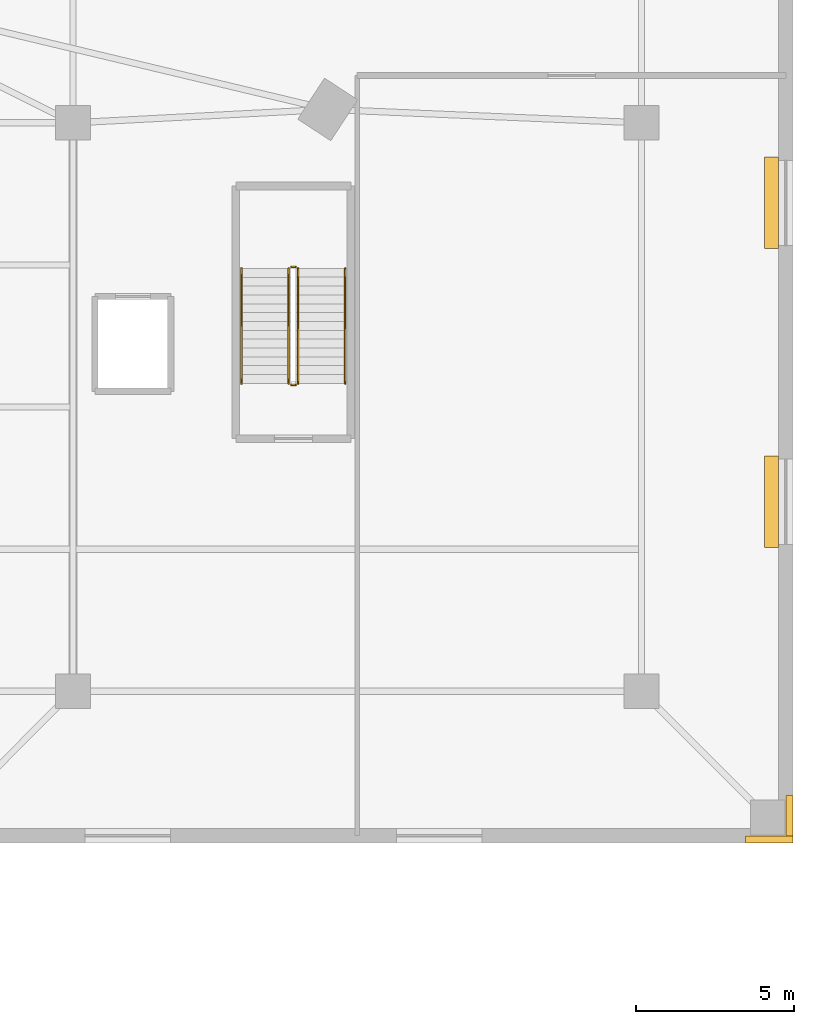
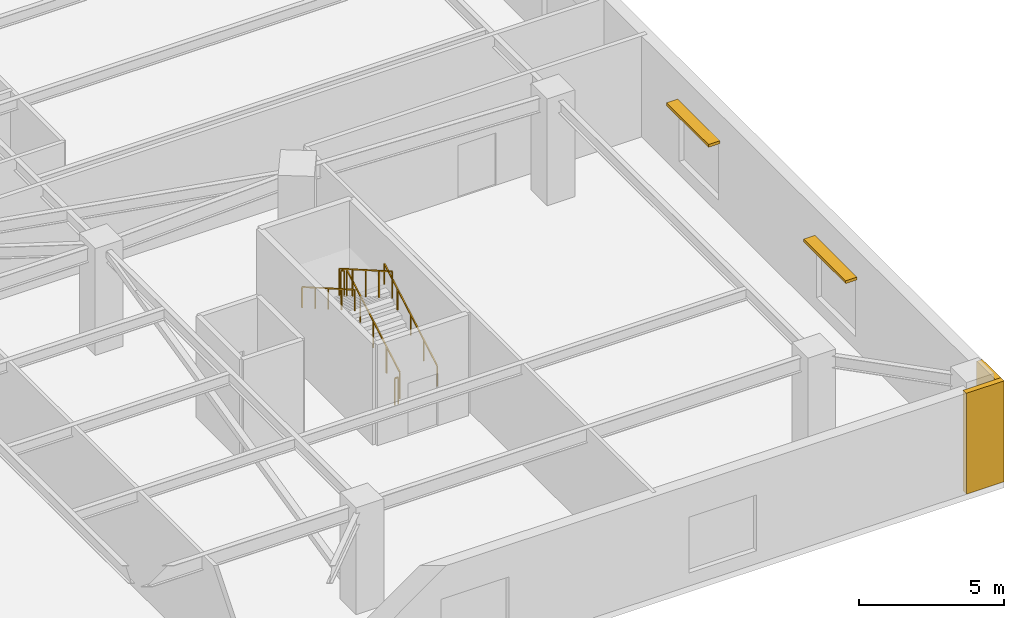
# One storey, part 15 of 16: 6 railings, 2 coverings, 2 shading devices.
"""IFC4 building model written with IfcOpenShell, lengths in metres."""

import ifcopenshell
import ifcopenshell.guid

model = None  # the IFC model being written
_history = None  # IfcOwnerHistory: only IFC2X3 demands one
_inside = {}  # id of a spatial element -> (the spatial element, [elements in it])
_under = {}  # id of a project, library or spatial element -> (it, [spatial elements below it])
_declared = {}  # id of a project -> (the project, [libraries it declares])
_typed = {}  # id of a type object -> (the type object, [elements of that type])
_made_of = {}  # id of a material, layer set ... -> (it, [elements and type objects made of it])


def new_model(schema):
    """Start an empty IFC model of exactly this schema.

    Asked for "IFC4X3", IfcOpenShell would pick the latest addendum, in which some entities
    have other attributes; the version numbers below select the first issue.
    IFC2X3 requires an IfcOwnerHistory on every rooted entity: one is made here for all.
    """
    global model, _history
    if schema == "IFC4X3":
        model = ifcopenshell.file(schema_version=(4, 3, 0, 0))
    else:
        model = ifcopenshell.file(schema=schema)
    _inside.clear()
    _under.clear()
    _declared.clear()
    _typed.clear()
    _made_of.clear()
    _history = None
    if model.schema == "IFC2X3":
        org = make("IfcOrganization", Name="unknown")
        user = make(
            "IfcPersonAndOrganization",
            ThePerson=make("IfcPerson", FamilyName="unknown"),
            TheOrganization=org,
        )
        app = make(
            "IfcApplication",
            ApplicationDeveloper=org,
            Version="unknown",
            ApplicationFullName="unknown",
            ApplicationIdentifier="unknown",
        )
        _history = make(
            "IfcOwnerHistory",
            OwningUser=user,
            OwningApplication=app,
            ChangeAction="ADDED",
            CreationDate=0,
        )
    return model


def make(cls, **values):
    """One entity of the class cls with the attributes given. An attribute that is None is left unset."""
    return model.create_entity(
        cls, **{name: value for name, value in values.items() if value is not None}
    )


def rooted(cls, **values):
    """An entity with a GlobalId (a new one), such as an element, a storey or a relation."""
    return make(cls, GlobalId=ifcopenshell.guid.new(), OwnerHistory=_history, **values)


def si_unit(unit_type, name, prefix=None):
    """IfcSIUnit, for example si_unit("LENGTHUNIT", "METRE", prefix="MILLI")."""
    return make("IfcSIUnit", UnitType=unit_type, Prefix=prefix, Name=name)


def assignment(units):
    """IfcUnitAssignment: the units of a project."""
    return None if units is None else make("IfcUnitAssignment", Units=units)


def point(xyz):
    """IfcCartesianPoint."""
    return None if xyz is None else make("IfcCartesianPoint", Coordinates=xyz)


def direction(xyz):
    """IfcDirection."""
    return None if xyz is None else make("IfcDirection", DirectionRatios=xyz)


def frame(location, z_axis=None, x_axis=None):
    """IfcAxis2Placement3D, a coordinate frame: its origin and axes. An axis left out is left unset."""
    return make(
        "IfcAxis2Placement3D",
        Location=point(location),
        Axis=direction(z_axis),
        RefDirection=direction(x_axis),
    )


def frame_2d(location, x_axis=None):
    """IfcAxis2Placement2D, a coordinate frame in the plane: its origin and x axis."""
    return make(
        "IfcAxis2Placement2D", Location=point(location), RefDirection=direction(x_axis)
    )


def origin():
    """The frame at (0, 0, 0) with its axes left unset."""
    return frame((0.0, 0.0, 0.0))


def origin_2d():
    """The frame at (0, 0) in the plane with its x axis left unset."""
    return frame_2d((0.0, 0.0))


def place(relative_to, where):
    """IfcLocalPlacement: puts the frame where relative to a parent placement (None: the world)."""
    return make(
        "IfcLocalPlacement", PlacementRelTo=relative_to, RelativePlacement=where
    )


def context(
    kind, dimensions, precision=None, world=None, true_north=None, identifier=None
):
    """IfcGeometricRepresentationContext, for example the 3D "Model" context."""
    return make(
        "IfcGeometricRepresentationContext",
        ContextIdentifier=identifier,
        ContextType=kind,
        CoordinateSpaceDimension=dimensions,
        Precision=precision,
        WorldCoordinateSystem=world,
        TrueNorth=true_north,
    )


def subcontext(parent, identifier, kind, view, scale=None):
    """IfcGeometricRepresentationSubContext, for example "Body" below "Model"."""
    return make(
        "IfcGeometricRepresentationSubContext",
        ContextIdentifier=identifier,
        ContextType=kind,
        ParentContext=parent,
        TargetScale=scale,
        TargetView=view,
    )


def project(units=None, contexts=None):
    """IfcProject with its units and contexts."""
    return rooted(
        "IfcProject",
        Name="project",
        RepresentationContexts=contexts,
        UnitsInContext=assignment(units),
    )


def spatial(cls, under=None, at=None, **own):
    """A site, building, storey or space (cls), placed at a placement, below another one or the project."""
    s = rooted(cls, ObjectPlacement=at, **own)
    if under is not None:
        _under.setdefault(under.id(), (under, []))[1].append(s)
    return s


def profile(cls, at=None, kind="AREA", **sizes):
    """A parametric profile (cls). Its sizes go by their IFC names, for example OverallWidth=200.0."""
    return make(cls, ProfileType=kind, Position=at, **sizes)


def rectangle(**sizes):
    """IfcRectangleProfileDef."""
    return profile("IfcRectangleProfileDef", **sizes)


def extrude(swept, where, along, depth):
    """IfcExtrudedAreaSolid: the profile swept, set in the frame where, extruded along a direction by depth."""
    return make(
        "IfcExtrudedAreaSolid",
        SweptArea=swept,
        Position=where,
        ExtrudedDirection=direction(along),
        Depth=depth,
    )


def shape(context_of_items, identifier, shape_type, items):
    """IfcShapeRepresentation: the items that make up one representation, for example the "Body"."""
    return make(
        "IfcShapeRepresentation",
        ContextOfItems=context_of_items,
        RepresentationIdentifier=identifier,
        RepresentationType=shape_type,
        Items=items,
    )


def source(mapping_origin, context_of_items, identifier, shape_type, items):
    """IfcRepresentationMap: a shape defined once, which mapped items show again and again."""
    return make(
        "IfcRepresentationMap",
        MappingOrigin=mapping_origin,
        MappedRepresentation=shape(context_of_items, identifier, shape_type, items),
    )


def transform(
    local_origin,
    x_axis=None,
    y_axis=None,
    z_axis=None,
    scale=None,
    scale2=None,
    scale3=None,
    uniform=True,
):
    """IfcCartesianTransformationOperator3D, or its non-uniform kind. x_axis, y_axis, z_axis: its Axis1, 2, 3."""
    if uniform:
        return make(
            "IfcCartesianTransformationOperator3D",
            Axis1=direction(x_axis),
            Axis2=direction(y_axis),
            LocalOrigin=point(local_origin),
            Scale=scale,
            Axis3=direction(z_axis),
        )
    return make(
        "IfcCartesianTransformationOperator3DnonUniform",
        Axis1=direction(x_axis),
        Axis2=direction(y_axis),
        LocalOrigin=point(local_origin),
        Scale=scale,
        Axis3=direction(z_axis),
        Scale2=scale2,
        Scale3=scale3,
    )


def mapped(mapping_source, mapping_target):
    """IfcMappedItem: shows the shape of a source again, moved by a transform."""
    return make(
        "IfcMappedItem", MappingSource=mapping_source, MappingTarget=mapping_target
    )


def material(Name=None, Category=None):
    """IfcMaterial."""
    return make("IfcMaterial", Name=Name, Category=Category)


def layer(
    of_material, thickness, ventilated=None, Name=None, Category=None, Priority=None
):
    """IfcMaterialLayer: one layer of a wall or slab, of a material (None: an air gap)."""
    return make(
        "IfcMaterialLayer",
        Material=of_material,
        LayerThickness=thickness,
        IsVentilated=ventilated,
        Name=Name,
        Category=Category,
        Priority=Priority,
    )


def layer_set(layers, Name=None):
    """IfcMaterialLayerSet."""
    return make("IfcMaterialLayerSet", MaterialLayers=layers, LayerSetName=Name)


def material_profile(
    of_material, cross_section, Name=None, Category=None, Priority=None
):
    """IfcMaterialProfile: a cross section and its material."""
    return make(
        "IfcMaterialProfile",
        Name=Name,
        Material=of_material,
        Profile=cross_section,
        Priority=Priority,
        Category=Category,
    )


def profile_set(profiles, Name=None, composite=None):
    """IfcMaterialProfileSet."""
    return make(
        "IfcMaterialProfileSet",
        Name=Name,
        MaterialProfiles=profiles,
        CompositeProfile=composite,
    )


def made_of(thing, what):
    """Note that an element or type object is made of a material, layer set ...; save() writes the relation."""
    if what is not None:
        _made_of.setdefault(what.id(), (what, []))[1].append(thing)
    return thing


def type_object(cls, material=None, **own):
    """A type object (cls), such as IfcWallType, which elements share."""
    return made_of(rooted(cls, **own), material)


def element(
    cls,
    number,
    at=None,
    inside=None,
    cuts=None,
    type_object=None,
    material=None,
    context=None,
    identifier="Body",
    shape_type=None,
    held_by="IfcProductDefinitionShape",
    body=None,
    shapes=None,
    **own,
):
    """One element of the class cls, such as IfcWall. Its Tag is "e" and its number.

    at: its placement. inside: the storey or other place that contains it. cuts: it is an
    opening in that element (IfcRelVoidsElement). A single representation is given by context,
    identifier, shape_type and body (its items); several are given by shapes. held_by: the class
    of the entity that holds the representations. save() writes the other relations.
    """
    e = rooted(cls, Tag="e%d" % number, ObjectPlacement=at, **own)
    if body is not None:
        shapes = [shape(context, identifier, shape_type, body)]
    if shapes is not None:
        e.Representation = make(held_by, Representations=shapes)
    if inside is not None:
        _inside.setdefault(inside.id(), (inside, []))[1].append(e)
    if cuts is not None:
        rooted(
            "IfcRelVoidsElement", RelatingBuildingElement=cuts, RelatedOpeningElement=e
        )
    if type_object is not None:
        _typed.setdefault(type_object.id(), (type_object, []))[1].append(e)
    return made_of(e, material)


def aggregate(whole, parts):
    """IfcRelAggregates: a whole, such as a stair, and the parts it consists of."""
    return rooted("IfcRelAggregates", RelatingObject=whole, RelatedObjects=parts)


def save(model, path):
    """Write the relations noted so far, then the file.

    IfcRelAggregates (storeys below a building ...), IfcRelContainedInSpatialStructure (elements
    in a storey), IfcRelDefinesByType, IfcRelAssociatesMaterial and IfcRelDeclares: one each for
    every whole, place, type object, material and project.
    """
    for whole, parts in _under.values():
        aggregate(whole, parts)
    for where, things in _inside.values():
        rooted(
            "IfcRelContainedInSpatialStructure",
            RelatedElements=things,
            RelatingStructure=where,
        )
    for kind, things in _typed.values():
        rooted("IfcRelDefinesByType", RelatedObjects=things, RelatingType=kind)
    for what, things in _made_of.values():
        rooted("IfcRelAssociatesMaterial", RelatedObjects=things, RelatingMaterial=what)
    for by, libraries in _declared.values():
        rooted("IfcRelDeclares", RelatingContext=by, RelatedDefinitions=libraries)
    model.write(path)


model = new_model("IFC4")

# Units and contexts
model_context = context("Model", 3, precision=1e-05, world=origin(), true_north=direction((0.0, 1.0)))
body_context = subcontext(model_context, "Body", "Model", "MODEL_VIEW")
ifc_project = project(units=[si_unit("LENGTHUNIT", "METRE"), si_unit("AREAUNIT", "SQUARE_METRE"), si_unit("VOLUMEUNIT", "CUBIC_METRE"), si_unit("PLANEANGLEUNIT", "RADIAN"), si_unit("MASSUNIT", "GRAM", prefix="KILO")], contexts=[model_context])

# Site, building, storey
site_placement = place(None, origin())
site = spatial("IfcSite", under=ifc_project, at=site_placement, CompositionType="ELEMENT")
building_placement = place(site_placement, origin())
building = spatial("IfcBuilding", under=site, at=building_placement, Name="Liaohun Quay Tower", CompositionType="ELEMENT")
storey_placement = place(building_placement, frame((0.0, 0.0, 14.39990234375)))
storey = spatial("IfcBuildingStorey", under=building, at=storey_placement, Name="L04", CompositionType="ELEMENT", Elevation=14.39990234375)

# Railings
ifc_material_1 = material(Name="Painted tubular steel", Category="steel")
railing_type_1 = type_object("IfcRailingType", Name="RLG-GUARD-STR", PredefinedType="GUARDRAIL", material=ifc_material_1)
railing_1_placement = place(storey_placement, frame((85.1298828125, 33.75, 0.160888671875)))
element("IfcRailing", 1, at=railing_1_placement, inside=storey, type_object=railing_type_1, Name="L04 ST-P2 stair guard 1", PredefinedType="GUARDRAIL", context=body_context, shape_type="SweptSolid", body=[
    extrude(rectangle(XDim=0.048095703125, YDim=0.048095703125, at=origin_2d()), frame((0.0, 0.0, 1.1259765625), z_axis=(0.0, 0.867300072446, 0.497785681127), x_axis=(-1.0, 0.0, 0.0)), (0.0, 0.0, 1.0), 4.19677734375),
    extrude(rectangle(XDim=0.0419921875, YDim=0.0419921875, at=origin_2d()), origin(), (0.0, 0.0, 1.0), 1.101806640625),
    extrude(rectangle(XDim=0.0419921875, YDim=0.0419921875, at=origin_2d()), frame((0.0, 0.909912109375, 0.522216796875)), (0.0, 0.0, 1.0), 1.101806640625),
    extrude(rectangle(XDim=0.0419921875, YDim=0.0419921875, at=origin_2d()), frame((0.0, 1.81982421875, 1.04443359375)), (0.0, 0.0, 1.0), 1.101806640625),
    extrude(rectangle(XDim=0.0419921875, YDim=0.0419921875, at=origin_2d()), frame((0.0, 2.72998046875, 1.56689453125)), (0.0, 0.0, 1.0), 1.101806640625),
    extrude(rectangle(XDim=0.0419921875, YDim=0.0419921875, at=origin_2d()), frame((0.0, 3.639892578125, 2.089111328125)), (0.0, 0.0, 1.0), 1.101806640625),
])
railing_2_placement = place(storey_placement, frame((85.050048828125, 37.43994140625, 2.25)))
element("IfcRailing", 2, at=railing_2_placement, inside=storey, type_object=railing_type_1, Name="L04 ST-P2 stair guard 2", PredefinedType="GUARDRAIL", context=body_context, shape_type="SweptSolid", body=[
    extrude(rectangle(XDim=0.048095703125, YDim=0.048095703125, at=origin_2d()), frame((0.0, 0.0, 1.1259765625), z_axis=(-1.0, 0.0, 0.0), x_axis=(0.0, -1.0, 0.0)), (0.0, 0.0, 1.0), 0.14013671875),
    extrude(rectangle(XDim=0.0419921875, YDim=0.0419921875, at=origin_2d()), origin(), (0.0, 0.0, 1.0), 1.101806640625),
    extrude(rectangle(XDim=0.0419921875, YDim=0.0419921875, at=origin_2d()), frame((-0.14013671875, 0.0, 0.0)), (0.0, 0.0, 1.0), 1.101806640625),
])
railing_3_placement = place(storey_placement, frame((84.830078125, 37.389892578125, 2.410888671875)))
element("IfcRailing", 3, at=railing_3_placement, inside=storey, type_object=railing_type_1, Name="L04 ST-P2 stair guard 3", PredefinedType="GUARDRAIL", context=body_context, shape_type="SweptSolid", body=[
    extrude(rectangle(XDim=0.048095703125, YDim=0.048095703125, at=origin_2d()), frame((0.0, 0.0, 1.1259765625), z_axis=(0.0, -0.867300072446, 0.497785681127), x_axis=(1.0, 0.0, 0.0)), (0.0, 0.0, 1.0), 4.19677734375),
    extrude(rectangle(XDim=0.0419921875, YDim=0.0419921875, at=origin_2d()), origin(), (0.0, 0.0, 1.0), 1.101806640625),
    extrude(rectangle(XDim=0.0419921875, YDim=0.0419921875, at=origin_2d()), frame((0.0, -0.909912109375, 0.522216796875)), (0.0, 0.0, 1.0), 1.101806640625),
    extrude(rectangle(XDim=0.0419921875, YDim=0.0419921875, at=origin_2d()), frame((0.0, -1.81982421875, 1.04443359375)), (0.0, 0.0, 1.0), 1.101806640625),
    extrude(rectangle(XDim=0.0419921875, YDim=0.0419921875, at=origin_2d()), frame((0.0, -2.72998046875, 1.56689453125)), (0.0, 0.0, 1.0), 1.101806640625),
    extrude(rectangle(XDim=0.0419921875, YDim=0.0419921875, at=origin_2d()), frame((0.0, -3.639892578125, 2.089111328125)), (0.0, 0.0, 1.0), 1.101806640625),
])
railing_4_placement = place(storey_placement, frame((85.050048828125, 33.699951171875, 0.0)))
element("IfcRailing", 4, at=railing_4_placement, inside=storey, type_object=railing_type_1, Name="L04 ST-P2 stair guard 4", PredefinedType="GUARDRAIL", context=body_context, shape_type="SweptSolid", body=[
    extrude(rectangle(XDim=0.048095703125, YDim=0.048095703125, at=origin_2d()), frame((0.0, 0.0, 1.1259765625), z_axis=(-1.0, 0.0, 0.0), x_axis=(0.0, -1.0, 0.0)), (0.0, 0.0, 1.0), 0.14013671875),
    extrude(rectangle(XDim=0.0419921875, YDim=0.0419921875, at=origin_2d()), origin(), (0.0, 0.0, 1.0), 1.101806640625),
    extrude(rectangle(XDim=0.0419921875, YDim=0.0419921875, at=origin_2d()), frame((-0.14013671875, 0.0, 0.0)), (0.0, 0.0, 1.0), 1.101806640625),
])
ifc_material_2 = material(Name="Brushed stainless steel", Category="steel")
railing_type_2 = type_object("IfcRailingType", Name="RLG-HND-STR", PredefinedType="HANDRAIL", material=ifc_material_2)
railing_5_placement = place(storey_placement, frame((86.6201171875, 33.75, 0.160888671875)))
element("IfcRailing", 5, at=railing_5_placement, inside=storey, type_object=railing_type_2, Name="L04 ST-P2 stair handrail 1", PredefinedType="HANDRAIL", context=body_context, shape_type="SweptSolid", body=[
    extrude(rectangle(XDim=0.048095703125, YDim=0.048095703125, at=origin_2d()), frame((0.0, 0.0, 0.8759765625), z_axis=(0.0, 0.867300072446, 0.497785681127), x_axis=(-1.0, 0.0, 0.0)), (0.0, 0.0, 1.0), 4.19677734375),
    extrude(rectangle(XDim=0.0419921875, YDim=0.0419921875, at=origin_2d()), origin(), (0.0, 0.0, 1.0), 0.851806640625),
    extrude(rectangle(XDim=0.0419921875, YDim=0.0419921875, at=origin_2d()), frame((0.0, 0.909912109375, 0.522216796875)), (0.0, 0.0, 1.0), 0.851806640625),
    extrude(rectangle(XDim=0.0419921875, YDim=0.0419921875, at=origin_2d()), frame((0.0, 1.81982421875, 1.04443359375)), (0.0, 0.0, 1.0), 0.851806640625),
    extrude(rectangle(XDim=0.0419921875, YDim=0.0419921875, at=origin_2d()), frame((0.0, 2.72998046875, 1.56689453125)), (0.0, 0.0, 1.0), 0.851806640625),
    extrude(rectangle(XDim=0.0419921875, YDim=0.0419921875, at=origin_2d()), frame((0.0, 3.639892578125, 2.089111328125)), (0.0, 0.0, 1.0), 0.851806640625),
])
railing_6_placement = place(storey_placement, frame((83.340087890625, 37.389892578125, 2.410888671875)))
element("IfcRailing", 6, at=railing_6_placement, inside=storey, type_object=railing_type_2, Name="L04 ST-P2 stair handrail 2", PredefinedType="HANDRAIL", context=body_context, shape_type="SweptSolid", body=[
    extrude(rectangle(XDim=0.048095703125, YDim=0.048095703125, at=origin_2d()), frame((0.0, 0.0, 0.8759765625), z_axis=(0.0, -0.867300072446, 0.497785681127), x_axis=(1.0, 0.0, 0.0)), (0.0, 0.0, 1.0), 4.19677734375),
    extrude(rectangle(XDim=0.0419921875, YDim=0.0419921875, at=origin_2d()), origin(), (0.0, 0.0, 1.0), 0.851806640625),
    extrude(rectangle(XDim=0.0419921875, YDim=0.0419921875, at=origin_2d()), frame((0.0, -0.909912109375, 0.522216796875)), (0.0, 0.0, 1.0), 0.851806640625),
    extrude(rectangle(XDim=0.0419921875, YDim=0.0419921875, at=origin_2d()), frame((0.0, -1.81982421875, 1.04443359375)), (0.0, 0.0, 1.0), 0.851806640625),
    extrude(rectangle(XDim=0.0419921875, YDim=0.0419921875, at=origin_2d()), frame((0.0, -2.72998046875, 1.56689453125)), (0.0, 0.0, 1.0), 0.851806640625),
    extrude(rectangle(XDim=0.0419921875, YDim=0.0419921875, at=origin_2d()), frame((0.0, -3.639892578125, 2.089111328125)), (0.0, 0.0, 1.0), 0.851806640625),
])

# Coverings
ifc_material_3 = material(Name="Bush-hammered Liaodong grey granite stone cladding", Category="masonry")
ifc_layer = layer(ifc_material_3, 0.0400390625, Name="Bush-hammered Liaodong grey granite stone cladding", Category="masonry")
ifc_layer_set = layer_set([ifc_layer], Name="Bush-hammered Liaodong grey granite stone cladding")
covering_type = type_object("IfcCoveringType", Name="COV-EXT-CLD", PredefinedType="CLADDING", material=ifc_layer_set)
shared_shape_1 = source(origin(), body_context, "Body", "SweptSolid", [
    extrude(rectangle(XDim=1.5, YDim=0.219970703125, at=origin_2d()), origin(), (0.0, 0.0, 1.0), 4.25),
])
covering_1_placement = place(storey_placement, frame((100.050048828125, 19.31005859375, 0.0), z_axis=(0.0, 0.0, 1.0), x_axis=(1.0, 0.0, 0.0)))
element("IfcCovering", 7, at=covering_1_placement, inside=storey, type_object=covering_type, Name="L04 Corner Granite Pier Cladding SE-X", PredefinedType="CLADDING", context=body_context, shape_type="MappedRepresentation", body=[
    mapped(shared_shape_1, transform((0.0, 0.0, 0.0), x_axis=(1.0, 0.0, 0.0), y_axis=(0.0, 1.0, 0.0), z_axis=(0.0, 0.0, 1.0), scale=1.0)),
])
shared_shape_2 = source(origin(), body_context, "Body", "SweptSolid", [
    extrude(rectangle(XDim=0.219970703125, YDim=1.280029296875, at=origin_2d()), origin(), (0.0, 0.0, 1.0), 4.25),
])
covering_2_placement = place(storey_placement, frame((100.68994140625, 20.06005859375, 0.0), z_axis=(0.0, 0.0, 1.0), x_axis=(1.0, 0.0, 0.0)))
element("IfcCovering", 8, at=covering_2_placement, inside=storey, type_object=covering_type, Name="L04 Corner Granite Pier Cladding SE-Y", PredefinedType="CLADDING", context=body_context, shape_type="MappedRepresentation", body=[
    mapped(shared_shape_2, transform((0.0, 0.0, 0.0), x_axis=(1.0, 0.0, 0.0), y_axis=(0.0, 1.0, 0.0), z_axis=(0.0, 0.0, 1.0), scale=1.0)),
])

# Shading devices
ifc_material_4 = material(Name="Precast concrete C50", Category="concrete")
ifc_material_profile = material_profile(ifc_material_4, rectangle(XDim=0.449951171875, YDim=0.1201171875, at=origin_2d()), Name="PRC-SUN-450x120")
ifc_profile_set = profile_set([ifc_material_profile], Name="Precast concrete C50")
shading_device_type = type_object("IfcShadingDeviceType", Name="SHD-SUN-POD", PredefinedType="SHUTTER", material=ifc_profile_set)
shared_shape_3 = source(origin(), body_context, "Body", "SweptSolid", [
    extrude(rectangle(XDim=0.449951171875, YDim=0.1201171875, at=origin_2d()), origin(), (0.0, 0.0, 1.0), 2.89990234375),
])
shading_device_1_placement = place(storey_placement, frame((100.1201171875, 28.551025390625, 3.050048828125), z_axis=(0.0, 1.0, 0.0), x_axis=(-1.0, 0.0, 0.0)))
element("IfcShadingDevice", 9, at=shading_device_1_placement, inside=storey, type_object=shading_device_type, Name="L04 Precast Window Thermal Hood SN-1-01-01", PredefinedType="SHUTTER", context=body_context, shape_type="MappedRepresentation", body=[
    mapped(shared_shape_3, transform((0.0, 0.0, 0.0), x_axis=(1.0, 0.0, 0.0), y_axis=(0.0, 1.0, 0.0), z_axis=(0.0, 0.0, 1.0), scale=1.0)),
])
shared_shape_4 = source(origin(), body_context, "Body", "SweptSolid", [
    extrude(rectangle(XDim=0.449951171875, YDim=0.1201171875, at=origin_2d()), origin(), (0.0, 0.0, 1.0), 2.900146484375),
])
shading_device_2_placement = place(storey_placement, frame((100.1201171875, 38.012939453125, 3.050048828125), z_axis=(0.0, 1.0, 0.0), x_axis=(-1.0, 0.0, 0.0)))
element("IfcShadingDevice", 10, at=shading_device_2_placement, inside=storey, type_object=shading_device_type, Name="L04 Precast Window Thermal Hood SN-1-01-02", PredefinedType="SHUTTER", context=body_context, shape_type="MappedRepresentation", body=[
    mapped(shared_shape_4, transform((0.0, 0.0, 0.0), x_axis=(1.0, 0.0, 0.0), y_axis=(0.0, 1.0, 0.0), z_axis=(0.0, 0.0, 1.0), scale=1.0)),
])

save(model, "model.ifc")
